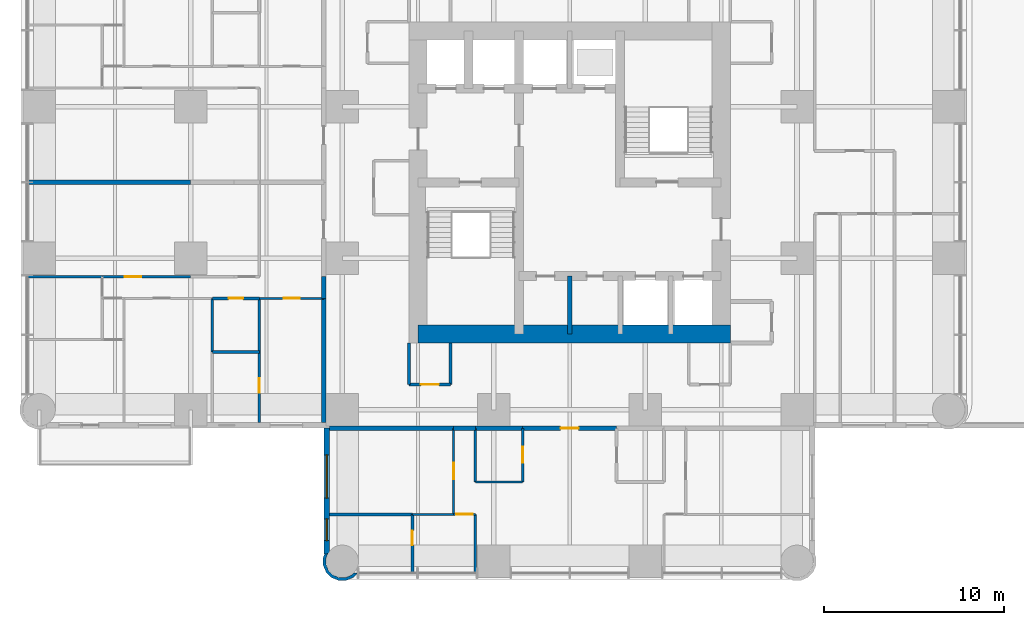
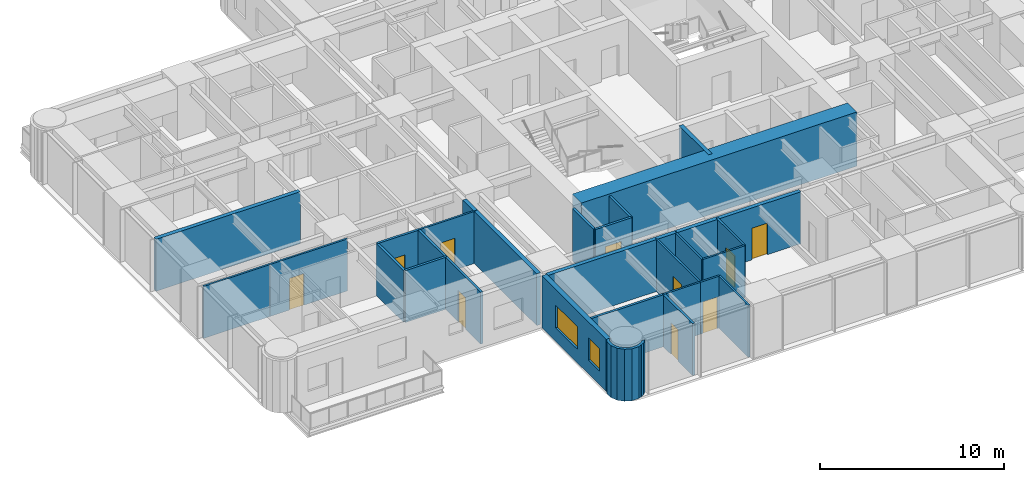
# One storey, part 5 of 12: 31 walls, 10 doors, 2 windows, 12 openings.
"""IFC4 building model written with IfcOpenShell, lengths in metres."""

import ifcopenshell
import ifcopenshell.guid

model = None  # the IFC model being written
_history = None  # IfcOwnerHistory: only IFC2X3 demands one
_inside = {}  # id of a spatial element -> (the spatial element, [elements in it])
_under = {}  # id of a project, library or spatial element -> (it, [spatial elements below it])
_declared = {}  # id of a project -> (the project, [libraries it declares])
_typed = {}  # id of a type object -> (the type object, [elements of that type])
_made_of = {}  # id of a material, layer set ... -> (it, [elements and type objects made of it])


def new_model(schema):
    """Start an empty IFC model of exactly this schema.

    Asked for "IFC4X3", IfcOpenShell would pick the latest addendum, in which some entities
    have other attributes; the version numbers below select the first issue.
    IFC2X3 requires an IfcOwnerHistory on every rooted entity: one is made here for all.
    """
    global model, _history
    if schema == "IFC4X3":
        model = ifcopenshell.file(schema_version=(4, 3, 0, 0))
    else:
        model = ifcopenshell.file(schema=schema)
    _inside.clear()
    _under.clear()
    _declared.clear()
    _typed.clear()
    _made_of.clear()
    _history = None
    if model.schema == "IFC2X3":
        org = make("IfcOrganization", Name="unknown")
        user = make(
            "IfcPersonAndOrganization",
            ThePerson=make("IfcPerson", FamilyName="unknown"),
            TheOrganization=org,
        )
        app = make(
            "IfcApplication",
            ApplicationDeveloper=org,
            Version="unknown",
            ApplicationFullName="unknown",
            ApplicationIdentifier="unknown",
        )
        _history = make(
            "IfcOwnerHistory",
            OwningUser=user,
            OwningApplication=app,
            ChangeAction="ADDED",
            CreationDate=0,
        )
    return model


def make(cls, **values):
    """One entity of the class cls with the attributes given. An attribute that is None is left unset."""
    return model.create_entity(
        cls, **{name: value for name, value in values.items() if value is not None}
    )


def rooted(cls, **values):
    """An entity with a GlobalId (a new one), such as an element, a storey or a relation."""
    return make(cls, GlobalId=ifcopenshell.guid.new(), OwnerHistory=_history, **values)


def si_unit(unit_type, name, prefix=None):
    """IfcSIUnit, for example si_unit("LENGTHUNIT", "METRE", prefix="MILLI")."""
    return make("IfcSIUnit", UnitType=unit_type, Prefix=prefix, Name=name)


def assignment(units):
    """IfcUnitAssignment: the units of a project."""
    return None if units is None else make("IfcUnitAssignment", Units=units)


def point(xyz):
    """IfcCartesianPoint."""
    return None if xyz is None else make("IfcCartesianPoint", Coordinates=xyz)


def direction(xyz):
    """IfcDirection."""
    return None if xyz is None else make("IfcDirection", DirectionRatios=xyz)


def frame(location, z_axis=None, x_axis=None):
    """IfcAxis2Placement3D, a coordinate frame: its origin and axes. An axis left out is left unset."""
    return make(
        "IfcAxis2Placement3D",
        Location=point(location),
        Axis=direction(z_axis),
        RefDirection=direction(x_axis),
    )


def frame_2d(location, x_axis=None):
    """IfcAxis2Placement2D, a coordinate frame in the plane: its origin and x axis."""
    return make(
        "IfcAxis2Placement2D", Location=point(location), RefDirection=direction(x_axis)
    )


def origin():
    """The frame at (0, 0, 0) with its axes left unset."""
    return frame((0.0, 0.0, 0.0))


def place(relative_to, where):
    """IfcLocalPlacement: puts the frame where relative to a parent placement (None: the world)."""
    return make(
        "IfcLocalPlacement", PlacementRelTo=relative_to, RelativePlacement=where
    )


def context(
    kind, dimensions, precision=None, world=None, true_north=None, identifier=None
):
    """IfcGeometricRepresentationContext, for example the 3D "Model" context."""
    return make(
        "IfcGeometricRepresentationContext",
        ContextIdentifier=identifier,
        ContextType=kind,
        CoordinateSpaceDimension=dimensions,
        Precision=precision,
        WorldCoordinateSystem=world,
        TrueNorth=true_north,
    )


def subcontext(parent, identifier, kind, view, scale=None):
    """IfcGeometricRepresentationSubContext, for example "Body" below "Model"."""
    return make(
        "IfcGeometricRepresentationSubContext",
        ContextIdentifier=identifier,
        ContextType=kind,
        ParentContext=parent,
        TargetScale=scale,
        TargetView=view,
    )


def project(units=None, contexts=None):
    """IfcProject with its units and contexts."""
    return rooted(
        "IfcProject",
        Name="project",
        RepresentationContexts=contexts,
        UnitsInContext=assignment(units),
    )


def spatial(cls, under=None, at=None, **own):
    """A site, building, storey or space (cls), placed at a placement, below another one or the project."""
    s = rooted(cls, ObjectPlacement=at, **own)
    if under is not None:
        _under.setdefault(under.id(), (under, []))[1].append(s)
    return s


def polyline(points):
    """IfcPolyline through the points."""
    return make("IfcPolyline", Points=[point(p) for p in points])


def profile(cls, at=None, kind="AREA", **sizes):
    """A parametric profile (cls). Its sizes go by their IFC names, for example OverallWidth=200.0."""
    return make(cls, ProfileType=kind, Position=at, **sizes)


def rectangle(**sizes):
    """IfcRectangleProfileDef."""
    return profile("IfcRectangleProfileDef", **sizes)


def outline(outer, holes=None, kind="AREA"):
    """IfcArbitraryClosedProfileDef: a profile drawn as a closed curve; with holes, ...WithVoids."""
    if holes is None:
        return make("IfcArbitraryClosedProfileDef", ProfileType=kind, OuterCurve=outer)
    return make(
        "IfcArbitraryProfileDefWithVoids",
        ProfileType=kind,
        OuterCurve=outer,
        InnerCurves=holes,
    )


def extrude(swept, where, along, depth):
    """IfcExtrudedAreaSolid: the profile swept, set in the frame where, extruded along a direction by depth."""
    return make(
        "IfcExtrudedAreaSolid",
        SweptArea=swept,
        Position=where,
        ExtrudedDirection=direction(along),
        Depth=depth,
    )


def shape(context_of_items, identifier, shape_type, items):
    """IfcShapeRepresentation: the items that make up one representation, for example the "Body"."""
    return make(
        "IfcShapeRepresentation",
        ContextOfItems=context_of_items,
        RepresentationIdentifier=identifier,
        RepresentationType=shape_type,
        Items=items,
    )


def material(Name=None, Category=None):
    """IfcMaterial."""
    return make("IfcMaterial", Name=Name, Category=Category)


def layer(
    of_material, thickness, ventilated=None, Name=None, Category=None, Priority=None
):
    """IfcMaterialLayer: one layer of a wall or slab, of a material (None: an air gap)."""
    return make(
        "IfcMaterialLayer",
        Material=of_material,
        LayerThickness=thickness,
        IsVentilated=ventilated,
        Name=Name,
        Category=Category,
        Priority=Priority,
    )


def layer_set(layers, Name=None):
    """IfcMaterialLayerSet."""
    return make("IfcMaterialLayerSet", MaterialLayers=layers, LayerSetName=Name)


def made_of(thing, what):
    """Note that an element or type object is made of a material, layer set ...; save() writes the relation."""
    if what is not None:
        _made_of.setdefault(what.id(), (what, []))[1].append(thing)
    return thing


def type_object(cls, material=None, **own):
    """A type object (cls), such as IfcWallType, which elements share."""
    return made_of(rooted(cls, **own), material)


def element(
    cls,
    number,
    at=None,
    inside=None,
    cuts=None,
    type_object=None,
    material=None,
    context=None,
    identifier="Body",
    shape_type=None,
    held_by="IfcProductDefinitionShape",
    body=None,
    shapes=None,
    **own,
):
    """One element of the class cls, such as IfcWall. Its Tag is "e" and its number.

    at: its placement. inside: the storey or other place that contains it. cuts: it is an
    opening in that element (IfcRelVoidsElement). A single representation is given by context,
    identifier, shape_type and body (its items); several are given by shapes. held_by: the class
    of the entity that holds the representations. save() writes the other relations.
    """
    e = rooted(cls, Tag="e%d" % number, ObjectPlacement=at, **own)
    if body is not None:
        shapes = [shape(context, identifier, shape_type, body)]
    if shapes is not None:
        e.Representation = make(held_by, Representations=shapes)
    if inside is not None:
        _inside.setdefault(inside.id(), (inside, []))[1].append(e)
    if cuts is not None:
        rooted(
            "IfcRelVoidsElement", RelatingBuildingElement=cuts, RelatedOpeningElement=e
        )
    if type_object is not None:
        _typed.setdefault(type_object.id(), (type_object, []))[1].append(e)
    return made_of(e, material)


def fill(opening, filler):
    """IfcRelFillsElement: the door or window that sits in an opening."""
    return rooted(
        "IfcRelFillsElement",
        RelatingOpeningElement=opening,
        RelatedBuildingElement=filler,
    )


def aggregate(whole, parts):
    """IfcRelAggregates: a whole, such as a stair, and the parts it consists of."""
    return rooted("IfcRelAggregates", RelatingObject=whole, RelatedObjects=parts)


def save(model, path):
    """Write the relations noted so far, then the file.

    IfcRelAggregates (storeys below a building ...), IfcRelContainedInSpatialStructure (elements
    in a storey), IfcRelDefinesByType, IfcRelAssociatesMaterial and IfcRelDeclares: one each for
    every whole, place, type object, material and project.
    """
    for whole, parts in _under.values():
        aggregate(whole, parts)
    for where, things in _inside.values():
        rooted(
            "IfcRelContainedInSpatialStructure",
            RelatedElements=things,
            RelatingStructure=where,
        )
    for kind, things in _typed.values():
        rooted("IfcRelDefinesByType", RelatedObjects=things, RelatingType=kind)
    for what, things in _made_of.values():
        rooted("IfcRelAssociatesMaterial", RelatedObjects=things, RelatingMaterial=what)
    for by, libraries in _declared.values():
        rooted("IfcRelDeclares", RelatingContext=by, RelatedDefinitions=libraries)
    model.write(path)


model = new_model("IFC4")

# Units and contexts
model_context = context("Model", 3, precision=1e-05, world=origin(), true_north=direction((0.0, 1.0)))
body_context = subcontext(model_context, "Body", "Model", "MODEL_VIEW")
ifc_project = project(units=[si_unit("LENGTHUNIT", "METRE"), si_unit("AREAUNIT", "SQUARE_METRE"), si_unit("VOLUMEUNIT", "CUBIC_METRE"), si_unit("PLANEANGLEUNIT", "RADIAN"), si_unit("MASSUNIT", "GRAM", prefix="KILO")], contexts=[model_context])

# Site, building, storey
site_placement = place(None, origin())
site = spatial("IfcSite", under=ifc_project, at=site_placement, CompositionType="ELEMENT")
building_placement = place(site_placement, origin())
building = spatial("IfcBuilding", under=site, at=building_placement, Name="Torre Alcanfor", CompositionType="ELEMENT")
storey_placement = place(building_placement, frame((0.0, 0.0, 183.300048828125)))
storey = spatial("IfcBuildingStorey", under=building, at=storey_placement, Name="L47", CompositionType="ELEMENT", Elevation=183.300048828125)

# Wall, opening, door
ifc_material_1 = material(Name="Concrete block masonry, hollow blocks NMX-C-404 9 MPa", Category="masonry")
ifc_layer_1 = layer(ifc_material_1, 0.25)
ifc_layer_set_1 = layer_set([ifc_layer_1], Name="Apartment entrance wall 250 EI 60")
wall_type_1 = type_object("IfcWallType", Name="Apartment entrance wall 250 EI 60", PredefinedType="PARTITIONING", material=ifc_layer_set_1)
wall_1_placement = place(storey_placement, frame((32.0, 15.77490234375, 0.0), z_axis=(0.0, 0.0, 1.0), x_axis=(-1.0, 0.0, 0.0)))
wall_1 = element("IfcWall", 1, at=wall_1_placement, inside=storey, type_object=wall_type_1, Name="Partition L47-CORR / L47-SX-ZAG", PredefinedType="PARTITIONING", context=body_context, shape_type="SweptSolid", body=[
    extrude(rectangle(XDim=5.199951171875, YDim=0.25, at=frame_2d((2.60009765625, 0.0))), origin(), (0.0, 0.0, 1.0), 3.449951171875),
])
opening_1_placement = place(wall_1_placement, frame((2.10009765625, 0.0, 0.0)))
opening_1 = element("IfcOpeningElement", 2, at=opening_1_placement, cuts=wall_1, Name="Opening D-A1", PredefinedType="OPENING", context=body_context, shape_type="SweptSolid", body=[
    extrude(rectangle(XDim=1.0, YDim=2.10009765625, at=frame_2d((0.5, 1.050048828125))), frame((0.0, 0.135009765625, 0.0), z_axis=(0.0, -1.0, 0.0), x_axis=(1.0, 0.0, 0.0)), (0.0, 0.0, 1.0), 0.27001953125),
])
ifc_material_2 = material(Name="Galvanised steel sheet ASTM A653", Category="steel")
door_type_1 = type_object("IfcDoorType", Name="Apartment entrance door FD60 1000x2100", OperationType="SINGLE_SWING_LEFT", PredefinedType="DOOR", material=ifc_material_2)
door_1_placement = place(opening_1_placement, origin())
door_1 = element("IfcDoor", 3, at=door_1_placement, inside=storey, type_object=door_type_1, Name="Apartment entrance L47-SX", OperationType="SINGLE_SWING_LEFT", OverallHeight=2.10009765625, OverallWidth=1.0, PredefinedType="DOOR", context=body_context, shape_type="SweptSolid", body=[
    extrude(rectangle(XDim=1.0, YDim=2.10009765625, at=frame_2d((0.5, 1.050048828125))), frame((0.0, 0.02490234375, 0.0), z_axis=(0.0, -1.0, 0.0), x_axis=(1.0, 0.0, 0.0)), (0.0, 0.0, 1.0), 0.050048828125),
])
fill(opening_1, door_1)

# Walls
wall_2_placement = place(storey_placement, frame((26.800048828125, 15.77490234375, 0.0), z_axis=(0.0, 0.0, 1.0), x_axis=(-1.0, 0.0, 0.0)))
element("IfcWall", 4, at=wall_2_placement, inside=storey, type_object=wall_type_1, Name="Partition L47-CORR / L47-SX-KITCHEN", PredefinedType="PARTITIONING", context=body_context, shape_type="SweptSolid", body=[
    extrude(rectangle(XDim=2.629150390625, YDim=0.25, at=frame_2d((1.314453125, 0.0))), origin(), (0.0, 0.0, 1.0), 3.449951171875),
])
wall_3_placement = place(storey_placement, frame((24.1708984375, 15.77490234375, 0.0), z_axis=(0.0, 0.0, 1.0), x_axis=(-1.0, 0.0, 0.0)))
element("IfcWall", 5, at=wall_3_placement, inside=storey, type_object=wall_type_1, Name="Partition L47-CORR / L47-SX-LIVING", PredefinedType="PARTITIONING", context=body_context, shape_type="SweptSolid", body=[
    extrude(rectangle(XDim=1.199951171875, YDim=0.25, at=frame_2d((0.60009765625, 0.0))), origin(), (0.0, 0.0, 1.0), 3.449951171875),
])
wall_4_placement = place(storey_placement, frame((22.970947265625, 15.77490234375, 0.0), z_axis=(0.0, 0.0, 1.0), x_axis=(-1.0, 0.0, 0.0)))
element("IfcWall", 6, at=wall_4_placement, inside=storey, type_object=wall_type_1, Name="Partition L47-CORR / L47-SX-BED3", PredefinedType="PARTITIONING", context=body_context, shape_type="SweptSolid", body=[
    extrude(rectangle(XDim=6.870849609375, YDim=0.25, at=frame_2d((3.435546875, 0.0))), origin(), (0.0, 0.0, 1.0), 3.449951171875),
])
wall_5_placement = place(storey_placement, frame((15.77490234375, 22.970947265625, 0.0), z_axis=(0.0, 0.0, 1.0), x_axis=(0.0, 1.0, 0.0)))
element("IfcWall", 7, at=wall_5_placement, inside=storey, type_object=wall_type_1, Name="Partition L47-CORR / L47-W1-HALL", PredefinedType="PARTITIONING", context=body_context, shape_type="SweptSolid", body=[
    extrude(rectangle(XDim=1.199951171875, YDim=0.25, at=frame_2d((0.60009765625, 0.0))), origin(), (0.0, 0.0, 1.0), 3.449951171875),
])
wall_6_placement = place(storey_placement, frame((15.77490234375, 16.10009765625, 0.0), z_axis=(0.0, 0.0, 1.0), x_axis=(0.0, 1.0, 0.0)))
element("IfcWall", 8, at=wall_6_placement, inside=storey, type_object=wall_type_1, Name="Partition L47-CORR / L47-W1-SERV", PredefinedType="PARTITIONING", context=body_context, shape_type="SweptSolid", body=[
    extrude(rectangle(XDim=6.870849609375, YDim=0.25, at=frame_2d((3.435546875, 0.0))), origin(), (0.0, 0.0, 1.0), 3.449951171875),
])

# Wall, opening, door
ifc_material_3 = material(Name="Gypsum board on steel studs", Category="steel")
ifc_layer_2 = layer(ifc_material_3, 0.1201171875)
ifc_layer_set_2 = layer_set([ifc_layer_2], Name="Apartment partition 120")
wall_type_2 = type_object("IfcWallType", Name="Apartment partition 120", PredefinedType="PARTITIONING", material=ifc_layer_set_2)
wall_7_placement = place(storey_placement, frame((26.800048828125, 15.77490234375, 0.0), z_axis=(0.0, 0.0, 1.0), x_axis=(0.0, -1.0, 0.0)))
wall_7 = element("IfcWall", 9, at=wall_7_placement, inside=storey, type_object=wall_type_2, Name="Partition L47-SX-ZAG / L47-SX-KITCHEN", PredefinedType="PARTITIONING", context=body_context, shape_type="SweptSolid", body=[
    extrude(rectangle(XDim=2.974853515625, YDim=0.1201171875, at=frame_2d((1.4873046875, 0.0))), origin(), (0.0, 0.0, 1.0), 3.449951171875),
])
opening_2_placement = place(wall_7_placement, frame((1.02490234375, 0.0, 0.0)))
opening_2 = element("IfcOpeningElement", 10, at=opening_2_placement, cuts=wall_7, Name="Opening D-R1", PredefinedType="OPENING", context=body_context, shape_type="SweptSolid", body=[
    extrude(rectangle(XDim=0.89990234375, YDim=2.10009765625, at=frame_2d((0.449951171875, 1.050048828125))), frame((0.0, 0.070068359375, 0.0), z_axis=(0.0, -1.0, 0.0), x_axis=(1.0, 0.0, 0.0)), (0.0, 0.0, 1.0), 0.14013671875),
])
ifc_material_4 = material(Name="Timber", Category="wood")
door_type_2 = type_object("IfcDoorType", Name="Internal door 900x2100", OperationType="SINGLE_SWING_LEFT", PredefinedType="DOOR", material=ifc_material_4)
door_2_placement = place(opening_2_placement, frame((0.89990234375, 0.0, 0.0), z_axis=(0.0, 0.0, 1.0), x_axis=(-1.0, 0.0, 0.0)))
door_2 = element("IfcDoor", 11, at=door_2_placement, inside=storey, type_object=door_type_2, Name="Door L47-SX kitchen", OperationType="SINGLE_SWING_RIGHT", OverallHeight=2.10009765625, OverallWidth=0.89990234375, PredefinedType="DOOR", context=body_context, shape_type="SweptSolid", body=[
    extrude(rectangle(XDim=0.89990234375, YDim=2.10009765625, at=frame_2d((0.449951171875, 1.050048828125))), frame((0.0, 0.025146484375, 0.0), z_axis=(0.0, -1.0, 0.0), x_axis=(1.0, 0.0, 0.0)), (0.0, 0.0, 1.0), 0.050048828125),
])
fill(opening_2, door_2)

# Walls
wall_8_placement = place(storey_placement, frame((24.1708984375, 15.77490234375, 0.0), z_axis=(0.0, 0.0, 1.0), x_axis=(0.0, -1.0, 0.0)))
element("IfcWall", 12, at=wall_8_placement, inside=storey, type_object=wall_type_2, Name="Partition L47-SX-KITCHEN / L47-SX-LIVING", PredefinedType="PARTITIONING", context=body_context, shape_type="SweptSolid", body=[
    extrude(rectangle(XDim=2.974853515625, YDim=0.1201171875, at=frame_2d((1.4873046875, 0.0))), origin(), (0.0, 0.0, 1.0), 3.449951171875),
])
wall_9_placement = place(storey_placement, frame((24.1708984375, 12.800048828125, 0.0), z_axis=(0.0, 0.0, 1.0), x_axis=(1.0, 0.0, 0.0)))
element("IfcWall", 13, at=wall_9_placement, inside=storey, type_object=wall_type_2, Name="Partition L47-SX-KITCHEN / L47-SX-LIVING", PredefinedType="PARTITIONING", context=body_context, shape_type="SweptSolid", body=[
    extrude(rectangle(XDim=2.629150390625, YDim=0.1201171875, at=frame_2d((1.314453125, 0.0))), origin(), (0.0, 0.0, 1.0), 3.449951171875),
])

# Wall, opening, door
wall_10_placement = place(storey_placement, frame((22.970947265625, 11.0, 0.0), z_axis=(0.0, 0.0, 1.0), x_axis=(0.0, 1.0, 0.0)))
wall_10 = element("IfcWall", 14, at=wall_10_placement, inside=storey, type_object=wall_type_2, Name="Partition L47-SX-LIVING / L47-SX-BED3", PredefinedType="PARTITIONING", context=body_context, shape_type="SweptSolid", body=[
    extrude(rectangle(XDim=4.77490234375, YDim=0.1201171875, at=frame_2d((2.387451171875, 0.0))), origin(), (0.0, 0.0, 1.0), 3.449951171875),
])
opening_3_placement = place(wall_10_placement, frame((1.949951171875, 0.0, 0.0)))
opening_3 = element("IfcOpeningElement", 15, at=opening_3_placement, cuts=wall_10, Name="Opening D-R1", PredefinedType="OPENING", context=body_context, shape_type="SweptSolid", body=[
    extrude(rectangle(XDim=0.89990234375, YDim=2.10009765625, at=frame_2d((0.449951171875, 1.050048828125))), frame((0.0, 0.070068359375, 0.0), z_axis=(0.0, -1.0, 0.0), x_axis=(1.0, 0.0, 0.0)), (0.0, 0.0, 1.0), 0.14013671875),
])
door_3_placement = place(opening_3_placement, origin())
door_3 = element("IfcDoor", 16, at=door_3_placement, inside=storey, type_object=door_type_2, Name="Door L47-SX bed3", OperationType="SINGLE_SWING_RIGHT", OverallHeight=2.10009765625, OverallWidth=0.89990234375, PredefinedType="DOOR", context=body_context, shape_type="SweptSolid", body=[
    extrude(rectangle(XDim=0.89990234375, YDim=2.10009765625, at=frame_2d((0.449951171875, 1.050048828125))), frame((0.0, 0.02490234375, 0.0), z_axis=(0.0, -1.0, 0.0), x_axis=(1.0, 0.0, 0.0)), (0.0, 0.0, 1.0), 0.050048828125),
])
fill(opening_3, door_3)

# Wall
wall_11_placement = place(storey_placement, frame((24.1708984375, 7.75, 0.0), z_axis=(0.0, 0.0, 1.0), x_axis=(0.0, 1.0, 0.0)))
element("IfcWall", 17, at=wall_11_placement, inside=storey, type_object=wall_type_2, Name="Partition L47-SX-LIVING / L47-SX-BED1", PredefinedType="PARTITIONING", context=body_context, shape_type="SweptSolid", body=[
    extrude(rectangle(XDim=3.25, YDim=0.1201171875, at=frame_2d((1.625, 0.0))), origin(), (0.0, 0.0, 1.0), 3.449951171875),
])

# Wall, opening, door
wall_12_placement = place(storey_placement, frame((24.1708984375, 11.0, 0.0), z_axis=(0.0, 0.0, 1.0), x_axis=(-1.0, 0.0, 0.0)))
wall_12 = element("IfcWall", 18, at=wall_12_placement, inside=storey, type_object=wall_type_2, Name="Partition L47-SX-LIVING / L47-SX-BED1", PredefinedType="PARTITIONING", context=body_context, shape_type="SweptSolid", body=[
    extrude(rectangle(XDim=1.199951171875, YDim=0.1201171875, at=frame_2d((0.60009765625, 0.0))), origin(), (0.0, 0.0, 1.0), 3.449951171875),
])
opening_4_placement = place(wall_12_placement, frame((0.15087890625, 0.0, 0.0)))
opening_4 = element("IfcOpeningElement", 19, at=opening_4_placement, cuts=wall_12, Name="Opening D-R1", PredefinedType="OPENING", context=body_context, shape_type="SweptSolid", body=[
    extrude(rectangle(XDim=0.89990234375, YDim=2.10009765625, at=frame_2d((0.449951171875, 1.050048828125))), frame((0.0, 0.070068359375, 0.0), z_axis=(0.0, -1.0, 0.0), x_axis=(1.0, 0.0, 0.0)), (0.0, 0.0, 1.0), 0.14013671875),
])
door_4_placement = place(opening_4_placement, origin())
door_4 = element("IfcDoor", 20, at=door_4_placement, inside=storey, type_object=door_type_2, Name="Door L47-SX bed1", OperationType="SINGLE_SWING_LEFT", OverallHeight=2.10009765625, OverallWidth=0.89990234375, PredefinedType="DOOR", context=body_context, shape_type="SweptSolid", body=[
    extrude(rectangle(XDim=0.89990234375, YDim=2.10009765625, at=frame_2d((0.449951171875, 1.050048828125))), frame((0.0, 0.02490234375, 0.0), z_axis=(0.0, -1.0, 0.0), x_axis=(1.0, 0.0, 0.0)), (0.0, 0.0, 1.0), 0.050048828125),
])
fill(opening_4, door_4)

# Wall
wall_13_placement = place(storey_placement, frame((20.68603515625, 11.0, 0.0), z_axis=(0.0, 0.0, 1.0), x_axis=(1.0, 0.0, 0.0)))
element("IfcWall", 21, at=wall_13_placement, inside=storey, type_object=wall_type_2, Name="Partition L47-SX-BED3 / L47-SX-BED1", PredefinedType="PARTITIONING", context=body_context, shape_type="SweptSolid", body=[
    extrude(rectangle(XDim=2.284912109375, YDim=0.1201171875, at=frame_2d((1.142578125, 0.0))), origin(), (0.0, 0.0, 1.0), 3.449951171875),
])

# Wall, opening, door
wall_14_placement = place(storey_placement, frame((3.5, 24.1708984375, 0.0), z_axis=(0.0, 0.0, 1.0), x_axis=(1.0, 0.0, 0.0)))
wall_14 = element("IfcWall", 22, at=wall_14_placement, inside=storey, type_object=wall_type_2, Name="Partition L47-W1-LIVING / L47-W1-HALL", PredefinedType="PARTITIONING", context=body_context, shape_type="SweptSolid", body=[
    extrude(rectangle(XDim=4.89990234375, YDim=0.1201171875, at=frame_2d((2.449951171875, 0.0))), origin(), (0.0, 0.0, 1.0), 3.449951171875),
])
opening_5_placement = place(wall_14_placement, frame((1.25, 0.0, 0.0)))
opening_5 = element("IfcOpeningElement", 23, at=opening_5_placement, cuts=wall_14, Name="Opening D-R1", PredefinedType="OPENING", context=body_context, shape_type="SweptSolid", body=[
    extrude(rectangle(XDim=0.89990234375, YDim=2.10009765625, at=frame_2d((0.449951171875, 1.050048828125))), frame((0.0, 0.070068359375, 0.0), z_axis=(0.0, -1.0, 0.0), x_axis=(1.0, 0.0, 0.0)), (0.0, 0.0, 1.0), 0.14013671875),
])
door_5_placement = place(opening_5_placement, origin())
door_5 = element("IfcDoor", 24, at=door_5_placement, inside=storey, type_object=door_type_2, Name="Door L47-W1 living", OperationType="SINGLE_SWING_RIGHT", OverallHeight=2.10009765625, OverallWidth=0.89990234375, PredefinedType="DOOR", context=body_context, shape_type="SweptSolid", body=[
    extrude(rectangle(XDim=0.89990234375, YDim=2.10009765625, at=frame_2d((0.449951171875, 1.050048828125))), frame((0.0, 0.02490234375, 0.0), z_axis=(0.0, -1.0, 0.0), x_axis=(1.0, 0.0, 0.0)), (0.0, 0.0, 1.0), 0.050048828125),
])
fill(opening_5, door_5)

# Wall
wall_15_placement = place(storey_placement, frame((-0.64990234375, 24.1708984375, 0.0), z_axis=(0.0, 0.0, 1.0), x_axis=(1.0, 0.0, 0.0)))
element("IfcWall", 25, at=wall_15_placement, inside=storey, type_object=wall_type_2, Name="Partition L47-W1-LIVING / L47-W1-BED2", PredefinedType="PARTITIONING", context=body_context, shape_type="SweptSolid", body=[
    extrude(rectangle(XDim=4.14990234375, YDim=0.1201171875, at=frame_2d((2.074951171875, 0.0))), origin(), (0.0, 0.0, 1.0), 3.449951171875),
])

# Wall, opening, door
wall_16_placement = place(storey_placement, frame((12.199951171875, 22.970947265625, 0.0), z_axis=(0.0, 0.0, 1.0), x_axis=(1.0, 0.0, 0.0)))
wall_16 = element("IfcWall", 26, at=wall_16_placement, inside=storey, type_object=wall_type_2, Name="Partition L47-W1-HALL / L47-W1-SERV", PredefinedType="PARTITIONING", context=body_context, shape_type="SweptSolid", body=[
    extrude(rectangle(XDim=3.574951171875, YDim=0.1201171875, at=frame_2d((1.78759765625, 0.0))), origin(), (0.0, 0.0, 1.0), 3.449951171875),
])
opening_6_placement = place(wall_16_placement, frame((1.35009765625, 0.0, 0.0)))
opening_6 = element("IfcOpeningElement", 27, at=opening_6_placement, cuts=wall_16, Name="Opening D-R1", PredefinedType="OPENING", context=body_context, shape_type="SweptSolid", body=[
    extrude(rectangle(XDim=0.89990234375, YDim=2.10009765625, at=frame_2d((0.449951171875, 1.050048828125))), frame((0.0, 0.070068359375, 0.0), z_axis=(0.0, -1.0, 0.0), x_axis=(1.0, 0.0, 0.0)), (0.0, 0.0, 1.0), 0.14013671875),
])
door_6_placement = place(opening_6_placement, frame((0.89990234375, 0.0, 0.0), z_axis=(0.0, 0.0, 1.0), x_axis=(-1.0, 0.0, 0.0)))
door_6 = element("IfcDoor", 28, at=door_6_placement, inside=storey, type_object=door_type_2, Name="Door L47-W1 serv", OperationType="SINGLE_SWING_LEFT", OverallHeight=2.10009765625, OverallWidth=0.89990234375, PredefinedType="DOOR", context=body_context, shape_type="SweptSolid", body=[
    extrude(rectangle(XDim=0.89990234375, YDim=2.10009765625, at=frame_2d((0.449951171875, 1.050048828125))), frame((0.0, 0.025146484375, 0.0), z_axis=(0.0, -1.0, 0.0), x_axis=(1.0, 0.0, 0.0)), (0.0, 0.0, 1.0), 0.050048828125),
])
fill(opening_6, door_6)

# Walls
ifc_material_5 = material(Name="Concrete f'c 70 MPa", Category="concrete")
ifc_layer_3 = layer(ifc_material_5, 0.25)
ifc_layer_set_3 = layer_set([ifc_layer_3], Name="Core shaft wall 250 f'c70")
wall_type_3 = type_object("IfcWallType", Name="Core shaft wall 250 f'c70", PredefinedType="SHEAR", material=ifc_layer_set_3)
wall_17_placement = place(storey_placement, frame((29.39990234375, 21.0, 0.0), z_axis=(0.0, 0.0, 1.0), x_axis=(0.0, 1.0, 0.0)))
element("IfcWall", 29, at=wall_17_placement, inside=storey, type_object=wall_type_3, Name="Core wall X294S L47", PredefinedType="SHEAR", context=body_context, shape_type="SweptSolid", body=[
    extrude(rectangle(XDim=3.199951171875, YDim=0.25, at=frame_2d((1.60009765625, 0.0))), origin(), (0.0, 0.0, 1.0), 3.599853515625),
])
ifc_material_6 = material(Name="Concrete f'c 70 MPa", Category="concrete")
ifc_layer_4 = layer(ifc_material_6, 1.0)
ifc_layer_set_4 = layer_set([ifc_layer_4], Name="Core wall 1000 f'c70")
wall_type_4 = type_object("IfcWallType", Name="Core wall 1000 f'c70", PredefinedType="SHEAR", material=ifc_layer_set_4)
wall_18_placement = place(storey_placement, frame((21.0, 21.0, 0.0), z_axis=(0.0, 0.0, 1.0), x_axis=(1.0, 0.0, 0.0)))
element("IfcWall", 30, at=wall_18_placement, inside=storey, type_object=wall_type_4, Name="Core wall OUT-S L47", PredefinedType="SHEAR", context=body_context, shape_type="SweptSolid", body=[
    extrude(rectangle(XDim=17.300048828125, YDim=1.0, at=frame_2d((8.64990234375, 0.0))), origin(), (0.0, 0.0, 1.0), 3.599853515625),
])

# Wall, openings, windows
ifc_material_7 = material(Name="Limestone cladding", Category="masonry")
ifc_layer_5 = layer(ifc_material_7, 0.0400390625, Name="Facing")
ifc_material_8 = material(Name="Ventilated air cavity")
ifc_layer_6 = layer(ifc_material_8, 0.02001953125, ventilated=True, Name="Ventilated joint")
ifc_material_9 = material(Name="Mineral wool insulation", Category="insulation")
ifc_layer_7 = layer(ifc_material_9, 0.10009765625, Name="Insulation")
ifc_material_10 = material(Name="Concrete f'c 35 MPa", Category="concrete")
ifc_layer_8 = layer(ifc_material_10, 0.139892578125, Name="Backing")
ifc_layer_set_5 = layer_set([ifc_layer_5, ifc_layer_6, ifc_layer_7, ifc_layer_8], Name="External wall stone-clad 300")
wall_type_5 = type_object("IfcWallType", Name="External wall stone-clad 300", PredefinedType="SOLIDWALL", material=ifc_layer_set_5)
wall_19_placement = place(storey_placement, frame((15.949951171875, 15.800048828125, 0.0), z_axis=(0.0, 0.0, 1.0), x_axis=(0.0, -1.0, 0.0)))
wall_19 = element("IfcWall", 31, at=wall_19_placement, inside=storey, type_object=wall_type_5, Name="External wall L47 4", PredefinedType="SOLIDWALL", context=body_context, shape_type="SweptSolid", body=[
    extrude(rectangle(XDim=7.0, YDim=0.300048828125, at=frame_2d((3.5, 0.0))), origin(), (0.0, 0.0, 1.0), 3.449951171875),
])
opening_7_placement = place(wall_19_placement, frame((1.5, 0.0, 0.89990234375)))
opening_7 = element("IfcOpeningElement", 32, at=opening_7_placement, cuts=wall_19, Name="Opening W1", PredefinedType="OPENING", context=body_context, shape_type="SweptSolid", body=[
    extrude(rectangle(XDim=2.39990234375, YDim=1.5, at=frame_2d((1.199951171875, 0.75))), frame((0.0, 0.159912109375, 0.0), z_axis=(0.0, -1.0, 0.0), x_axis=(1.0, 0.0, 0.0)), (0.0, 0.0, 1.0), 0.320068359375),
])
opening_8_placement = place(wall_19_placement, frame((5.050048828125, 0.0, 0.89990234375)))
opening_8 = element("IfcOpeningElement", 33, at=opening_8_placement, cuts=wall_19, Name="Opening W4", PredefinedType="OPENING", context=body_context, shape_type="SweptSolid", body=[
    extrude(rectangle(XDim=1.199951171875, YDim=1.5, at=frame_2d((0.60009765625, 0.75))), frame((0.0, 0.159912109375, 0.0), z_axis=(0.0, -1.0, 0.0), x_axis=(1.0, 0.0, 0.0)), (0.0, 0.0, 1.0), 0.320068359375),
])
ifc_material_11 = material(Name="Aluminium frame with clear double glazing", Category="aluminium")
window_type_1 = type_object("IfcWindowType", Name="Window bedroom 1200x1500", PartitioningType="SINGLE_PANEL", PredefinedType="WINDOW", material=ifc_material_11)
window_1_placement = place(opening_8_placement, origin())
window_1 = element("IfcWindow", 34, at=window_1_placement, inside=storey, type_object=window_type_1, Name="Window W4 L47-S2", OverallHeight=1.5, OverallWidth=1.199951171875, PartitioningType="SINGLE_PANEL", PredefinedType="WINDOW", context=body_context, shape_type="SweptSolid", body=[
    extrude(rectangle(XDim=1.199951171875, YDim=1.5, at=frame_2d((0.60009765625, 0.75))), frame((0.0, 0.030029296875, 0.0), z_axis=(0.0, -1.0, 0.0), x_axis=(1.0, 0.0, 0.0)), (0.0, 0.0, 1.0), 0.06005859375),
])
fill(opening_8, window_1)
ifc_material_12 = material(Name="Aluminium frame with clear double glazing", Category="aluminium")
window_type_2 = type_object("IfcWindowType", Name="Window bedroom 2400x1500", PartitioningType="SINGLE_PANEL", PredefinedType="WINDOW", material=ifc_material_12)
window_2_placement = place(opening_7_placement, origin())
window_2 = element("IfcWindow", 35, at=window_2_placement, inside=storey, type_object=window_type_2, Name="Window W1 L47-S2", OverallHeight=1.5, OverallWidth=2.39990234375, PartitioningType="SINGLE_PANEL", PredefinedType="WINDOW", context=body_context, shape_type="SweptSolid", body=[
    extrude(rectangle(XDim=2.39990234375, YDim=1.5, at=frame_2d((1.199951171875, 0.75))), frame((0.0, 0.030029296875, 0.0), z_axis=(0.0, -1.0, 0.0), x_axis=(1.0, 0.0, 0.0)), (0.0, 0.0, 1.0), 0.06005859375),
])
fill(opening_7, window_2)

# Walls
ifc_material_13 = material(Name="Concrete block masonry, hollow blocks NMX-C-404 9 MPa", Category="masonry")
ifc_layer_9 = layer(ifc_material_13, 0.25)
ifc_layer_set_6 = layer_set([ifc_layer_9], Name="Party wall 250 EI 60")
wall_type_6 = type_object("IfcWallType", Name="Party wall 250 EI 60", PredefinedType="PARTITIONING", material=ifc_layer_set_6)
wall_20_placement = place(storey_placement, frame((8.39990234375, 29.39990234375, 0.0), z_axis=(0.0, 0.0, 1.0), x_axis=(-1.0, 0.0, 0.0)))
element("IfcWall", 36, at=wall_20_placement, inside=storey, type_object=wall_type_6, Name="Partition L47-W1-LIVING / L47-W2-LIVING", PredefinedType="PARTITIONING", context=body_context, shape_type="SweptSolid", body=[
    extrude(rectangle(XDim=9.0498046875, YDim=0.25, at=frame_2d((4.52490234375, 0.0))), origin(), (0.0, 0.0, 1.0), 3.449951171875),
])
ifc_material_14 = material(Name="Concrete block masonry, hollow blocks NMX-C-404 9 MPa", Category="masonry")
ifc_layer_10 = layer(ifc_material_14, 0.14990234375)
ifc_layer_set_7 = layer_set([ifc_layer_10], Name="Residents' room partition 150")
wall_type_7 = type_object("IfcWallType", Name="Residents' room partition 150", PredefinedType="PARTITIONING", material=ifc_layer_set_7)
wall_21_placement = place(storey_placement, frame((20.5, 20.5, 0.0), z_axis=(0.0, 0.0, 1.0), x_axis=(0.0, -1.0, 0.0)))
element("IfcWall", 37, at=wall_21_placement, inside=storey, type_object=wall_type_7, Name="Partition L47-CORR / L47-G05", PredefinedType="PARTITIONING", context=body_context, shape_type="SweptSolid", body=[
    extrude(rectangle(XDim=2.300048828125, YDim=0.14990234375, at=frame_2d((1.14990234375, 0.0))), origin(), (0.0, 0.0, 1.0), 3.449951171875),
])

# Wall, opening, door
wall_22_placement = place(storey_placement, frame((20.5, 18.199951171875, 0.0), z_axis=(0.0, 0.0, 1.0), x_axis=(1.0, 0.0, 0.0)))
wall_22 = element("IfcWall", 38, at=wall_22_placement, inside=storey, type_object=wall_type_7, Name="Partition L47-CORR / L47-G05", PredefinedType="PARTITIONING", context=body_context, shape_type="SweptSolid", body=[
    extrude(rectangle(XDim=2.300048828125, YDim=0.14990234375, at=frame_2d((1.14990234375, 0.0))), origin(), (0.0, 0.0, 1.0), 3.449951171875),
])
opening_9_placement = place(wall_22_placement, frame((0.64990234375, 0.0, 0.0)))
opening_9 = element("IfcOpeningElement", 39, at=opening_9_placement, cuts=wall_22, Name="Opening D-M1", PredefinedType="OPENING", context=body_context, shape_type="SweptSolid", body=[
    extrude(rectangle(XDim=1.0, YDim=2.10009765625, at=frame_2d((0.5, 1.050048828125))), frame((0.0, 0.0849609375, 0.0), z_axis=(0.0, -1.0, 0.0), x_axis=(1.0, 0.0, 0.0)), (0.0, 0.0, 1.0), 0.169921875),
])
ifc_material_15 = material(Name="Timber", Category="wood")
door_type_3 = type_object("IfcDoorType", Name="Residents' room door 1000x2100", OperationType="SINGLE_SWING_LEFT", PredefinedType="DOOR", material=ifc_material_15)
door_7_placement = place(opening_9_placement, origin())
door_7 = element("IfcDoor", 40, at=door_7_placement, inside=storey, type_object=door_type_3, Name="Door L47-G05 residents' lockers", OperationType="SINGLE_SWING_LEFT", OverallHeight=2.10009765625, OverallWidth=1.0, PredefinedType="DOOR", context=body_context, shape_type="SweptSolid", body=[
    extrude(rectangle(XDim=1.0, YDim=2.10009765625, at=frame_2d((0.5, 1.050048828125))), frame((0.0, 0.02490234375, 0.0), z_axis=(0.0, -1.0, 0.0), x_axis=(1.0, 0.0, 0.0)), (0.0, 0.0, 1.0), 0.050048828125),
])
fill(opening_9, door_7)

# Walls
wall_23_placement = place(storey_placement, frame((22.800048828125, 18.199951171875, 0.0), z_axis=(0.0, 0.0, 1.0), x_axis=(0.0, 1.0, 0.0)))
element("IfcWall", 41, at=wall_23_placement, inside=storey, type_object=wall_type_7, Name="Partition L47-CORR / L47-G05", PredefinedType="PARTITIONING", context=body_context, shape_type="SweptSolid", body=[
    extrude(rectangle(XDim=2.300048828125, YDim=0.14990234375, at=frame_2d((1.14990234375, 0.0))), origin(), (0.0, 0.0, 1.0), 3.449951171875),
])
ifc_layer_11 = layer(ifc_material_7, 0.0400390625, Name="Facing")
ifc_layer_12 = layer(ifc_material_8, 0.02001953125, ventilated=True, Name="Ventilated joint")
ifc_layer_13 = layer(ifc_material_9, 0.10009765625, Name="Insulation")
ifc_layer_14 = layer(ifc_material_10, 0.139892578125, Name="Backing")
ifc_layer_set_8 = layer_set([ifc_layer_11, ifc_layer_12, ifc_layer_13, ifc_layer_14], Name="Rounded corner pier stone-clad 300")
wall_type_8 = type_object("IfcWallType", Name="Rounded corner pier stone-clad 300", PredefinedType="SOLIDWALL", material=ifc_layer_set_8)
wall_24_placement = place(storey_placement, frame((15.890092843, 8.763962863, 0.0), z_axis=(0.0, 0.0, 1.0), x_axis=(-0.377204953059, -0.926129809145, 0.0)))
element("IfcWall", 42, at=wall_24_placement, inside=storey, type_object=wall_type_8, Name="Corner pier L47 15", PredefinedType="SOLIDWALL", context=body_context, shape_type="SweptSolid", body=[
    extrude(outline(polyline([(0.36034450563262843, 1.8033619899607123), (0.5087163816434637, 1.7406849604818813), (0.7606633711668922, 1.4858405177128808), (0.8958530369605706, 1.1539170411930133), (0.8937490742070667, 0.7953361489494798), (0.7546416521813281, 0.46504770091033776), (0.4997972094123275, 0.21310071138690906), (0.1678737328924601, 0.07791104559323066), (-0.0998497966361302, 0.07958729129442146), (0.0005447604101438894, -0.09700425109193639), (0.030089737096421466, -0.0802257793910609), (0.1984312400342189, -0.08125573898961119), (0.5889161473569784, 0.07778550952924612), (0.8889089943842856, 0.3742188369041392), (1.0524490442690833, 0.7629634351611959), (1.0550198215434126, 1.184474548334772), (0.8959785730245553, 1.5749594556575315), (0.7777586267704055, 1.6949950795784703), (0.7692120588982145, 1.727629228262059), (0.7501105844804216, 1.7227491090374158), (0.599545245649662, 1.874952302684839), (0.2946204636318348, 2.0035646420255806), (0.2810541090056822, 1.9980391788460024), (0.36034450563262843, 1.8033619899607123)])), origin(), (0.0, 0.0, 1.0), 3.449951171875),
])
ifc_material_16 = material(Name="Cement board on steel studs", Category="steel")
ifc_layer_15 = layer(ifc_material_16, 0.14990234375)
ifc_layer_set_9 = layer_set([ifc_layer_15], Name="Wet area partition 150")
wall_type_9 = type_object("IfcWallType", Name="Wet area partition 150", PredefinedType="PARTITIONING", material=ifc_layer_set_9)
wall_25_placement = place(storey_placement, frame((16.10009765625, 11.0, 0.0), z_axis=(0.0, 0.0, 1.0), x_axis=(1.0, 0.0, 0.0)))
element("IfcWall", 43, at=wall_25_placement, inside=storey, type_object=wall_type_9, Name="Partition L47-SX-BED3 / L47-SX-BATH1", PredefinedType="PARTITIONING", context=body_context, shape_type="SweptSolid", body=[
    extrude(rectangle(XDim=4.5859375, YDim=0.14990234375, at=frame_2d((2.29296875, 0.0))), origin(), (0.0, 0.0, 1.0), 3.449951171875),
])

# Wall, opening, door
wall_26_placement = place(storey_placement, frame((20.68603515625, 7.75, 0.0), z_axis=(0.0, 0.0, 1.0), x_axis=(0.0, 1.0, 0.0)))
wall_26 = element("IfcWall", 44, at=wall_26_placement, inside=storey, type_object=wall_type_9, Name="Partition L47-SX-BATH1 / L47-SX-BED1", PredefinedType="PARTITIONING", context=body_context, shape_type="SweptSolid", body=[
    extrude(rectangle(XDim=3.25, YDim=0.14990234375, at=frame_2d((1.625, 0.0))), origin(), (0.0, 0.0, 1.0), 3.449951171875),
])
opening_10_placement = place(wall_26_placement, frame((1.550048828125, 0.0, 0.0)))
opening_10 = element("IfcOpeningElement", 45, at=opening_10_placement, cuts=wall_26, Name="Opening D-R2", PredefinedType="OPENING", context=body_context, shape_type="SweptSolid", body=[
    extrude(rectangle(XDim=0.800048828125, YDim=2.10009765625, at=frame_2d((0.39990234375, 1.050048828125))), frame((0.0, 0.0849609375, 0.0), z_axis=(0.0, -1.0, 0.0), x_axis=(1.0, 0.0, 0.0)), (0.0, 0.0, 1.0), 0.169921875),
])
ifc_material_17 = material(Name="Timber", Category="wood")
door_type_4 = type_object("IfcDoorType", Name="Bathroom door 800x2100", OperationType="SINGLE_SWING_LEFT", PredefinedType="DOOR", material=ifc_material_17)
door_8_placement = place(opening_10_placement, frame((0.800048828125, 0.0, 0.0), z_axis=(0.0, 0.0, 1.0), x_axis=(-1.0, 0.0, 0.0)))
door_8 = element("IfcDoor", 46, at=door_8_placement, inside=storey, type_object=door_type_4, Name="Door L47-SX bath1", OperationType="SINGLE_SWING_LEFT", OverallHeight=2.10009765625, OverallWidth=0.800048828125, PredefinedType="DOOR", context=body_context, shape_type="SweptSolid", body=[
    extrude(rectangle(XDim=0.800048828125, YDim=2.10009765625, at=frame_2d((0.400146484375, 1.050048828125))), frame((0.0, 0.025146484375, 0.0), z_axis=(0.0, -1.0, 0.0), x_axis=(1.0, 0.0, 0.0)), (0.0, 0.0, 1.0), 0.050048828125),
])
fill(opening_10, door_8)

wall_27_placement = place(storey_placement, frame((9.60009765625, 22.970947265625, 0.0), z_axis=(0.0, 0.0, 1.0), x_axis=(1.0, 0.0, 0.0)))
wall_27 = element("IfcWall", 47, at=wall_27_placement, inside=storey, type_object=wall_type_9, Name="Partition L47-W1-HALL / L47-W1-BATH1", PredefinedType="PARTITIONING", context=body_context, shape_type="SweptSolid", body=[
    extrude(rectangle(XDim=2.599853515625, YDim=0.14990234375, at=frame_2d((1.2998046875, 0.0))), origin(), (0.0, 0.0, 1.0), 3.449951171875),
])
opening_11_placement = place(wall_27_placement, frame((0.89990234375, 0.0, 0.0)))
opening_11 = element("IfcOpeningElement", 48, at=opening_11_placement, cuts=wall_27, Name="Opening D-R2", PredefinedType="OPENING", context=body_context, shape_type="SweptSolid", body=[
    extrude(rectangle(XDim=0.800048828125, YDim=2.10009765625, at=frame_2d((0.39990234375, 1.050048828125))), frame((0.0, 0.0849609375, 0.0), z_axis=(0.0, -1.0, 0.0), x_axis=(1.0, 0.0, 0.0)), (0.0, 0.0, 1.0), 0.169921875),
])
door_9_placement = place(opening_11_placement, frame((0.800048828125, 0.0, 0.0), z_axis=(0.0, 0.0, 1.0), x_axis=(-1.0, 0.0, 0.0)))
door_9 = element("IfcDoor", 49, at=door_9_placement, inside=storey, type_object=door_type_4, Name="Door L47-W1 bath1", OperationType="SINGLE_SWING_RIGHT", OverallHeight=2.10009765625, OverallWidth=0.800048828125, PredefinedType="DOOR", context=body_context, shape_type="SweptSolid", body=[
    extrude(rectangle(XDim=0.800048828125, YDim=2.10009765625, at=frame_2d((0.400146484375, 1.050048828125))), frame((0.0, 0.025146484375, 0.0), z_axis=(0.0, -1.0, 0.0), x_axis=(1.0, 0.0, 0.0)), (0.0, 0.0, 1.0), 0.050048828125),
])
fill(opening_11, door_9)

# Wall
wall_28_placement = place(storey_placement, frame((12.199951171875, 22.970947265625, 0.0), z_axis=(0.0, 0.0, 1.0), x_axis=(0.0, -1.0, 0.0)))
element("IfcWall", 50, at=wall_28_placement, inside=storey, type_object=wall_type_9, Name="Partition L47-W1-SERV / L47-W1-BATH1", PredefinedType="PARTITIONING", context=body_context, shape_type="SweptSolid", body=[
    extrude(rectangle(XDim=2.970947265625, YDim=0.14990234375, at=frame_2d((1.4853515625, 0.0))), origin(), (0.0, 0.0, 1.0), 3.449951171875),
])

# Wall, opening, door
wall_29_placement = place(storey_placement, frame((12.199951171875, 20.0, 0.0), z_axis=(0.0, 0.0, 1.0), x_axis=(0.0, -1.0, 0.0)))
wall_29 = element("IfcWall", 51, at=wall_29_placement, inside=storey, type_object=wall_type_9, Name="Partition L47-W1-SERV / L47-W1-SBATH", PredefinedType="PARTITIONING", context=body_context, shape_type="SweptSolid", body=[
    extrude(rectangle(XDim=3.89990234375, YDim=0.14990234375, at=frame_2d((1.949951171875, 0.0))), origin(), (0.0, 0.0, 1.0), 3.449951171875),
])
opening_12_placement = place(wall_29_placement, frame((1.449951171875, 0.0, 0.0)))
opening_12 = element("IfcOpeningElement", 52, at=opening_12_placement, cuts=wall_29, Name="Opening D-R2", PredefinedType="OPENING", context=body_context, shape_type="SweptSolid", body=[
    extrude(rectangle(XDim=0.800048828125, YDim=2.10009765625, at=frame_2d((0.39990234375, 1.050048828125))), frame((0.0, 0.0849609375, 0.0), z_axis=(0.0, -1.0, 0.0), x_axis=(1.0, 0.0, 0.0)), (0.0, 0.0, 1.0), 0.169921875),
])
door_10_placement = place(opening_12_placement, frame((0.800048828125, 0.0, 0.0), z_axis=(0.0, 0.0, 1.0), x_axis=(-1.0, 0.0, 0.0)))
door_10 = element("IfcDoor", 53, at=door_10_placement, inside=storey, type_object=door_type_4, Name="Door L47-W1 sbath", OperationType="SINGLE_SWING_RIGHT", OverallHeight=2.10009765625, OverallWidth=0.800048828125, PredefinedType="DOOR", context=body_context, shape_type="SweptSolid", body=[
    extrude(rectangle(XDim=0.800048828125, YDim=2.10009765625, at=frame_2d((0.400146484375, 1.050048828125))), frame((0.0, 0.025146484375, 0.0), z_axis=(0.0, -1.0, 0.0), x_axis=(1.0, 0.0, 0.0)), (0.0, 0.0, 1.0), 0.050048828125),
])
fill(opening_12, door_10)

# Walls
wall_30_placement = place(storey_placement, frame((9.60009765625, 20.0, 0.0), z_axis=(0.0, 0.0, 1.0), x_axis=(1.0, 0.0, 0.0)))
element("IfcWall", 54, at=wall_30_placement, inside=storey, type_object=wall_type_9, Name="Partition L47-W1-BATH1 / L47-W1-SBATH", PredefinedType="PARTITIONING", context=body_context, shape_type="SweptSolid", body=[
    extrude(rectangle(XDim=2.599853515625, YDim=0.14990234375, at=frame_2d((1.2998046875, 0.0))), origin(), (0.0, 0.0, 1.0), 3.449951171875),
])
wall_31_placement = place(storey_placement, frame((9.60009765625, 22.970947265625, 0.0), z_axis=(0.0, 0.0, 1.0), x_axis=(0.0, -1.0, 0.0)))
element("IfcWall", 55, at=wall_31_placement, inside=storey, type_object=wall_type_9, Name="Partition L47-W1-BATH1 / L47-W1-BED3", PredefinedType="PARTITIONING", context=body_context, shape_type="SweptSolid", body=[
    extrude(rectangle(XDim=2.970947265625, YDim=0.14990234375, at=frame_2d((1.4853515625, 0.0))), origin(), (0.0, 0.0, 1.0), 3.449951171875),
])

save(model, "model.ifc")
